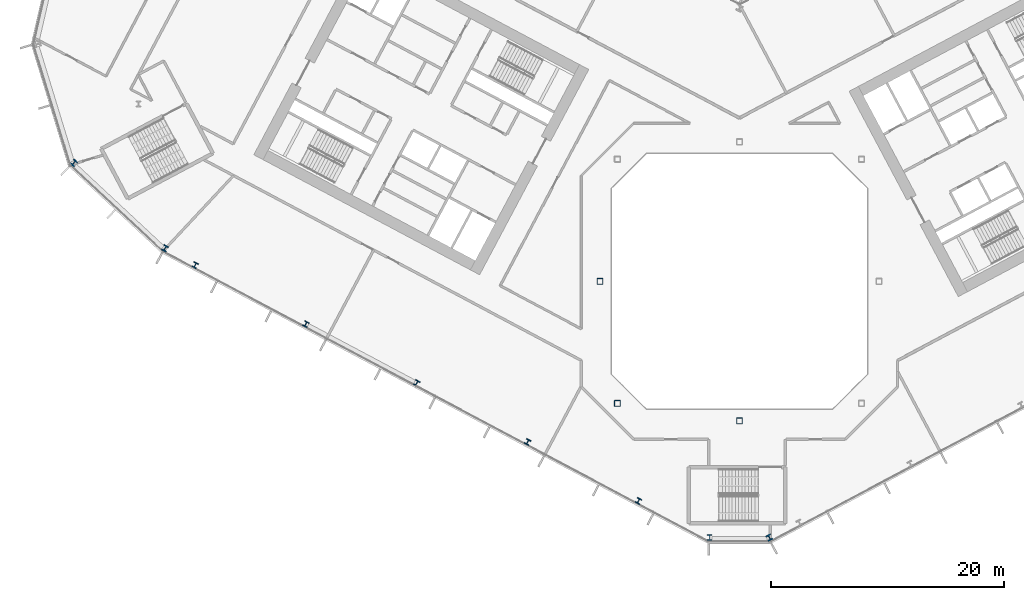
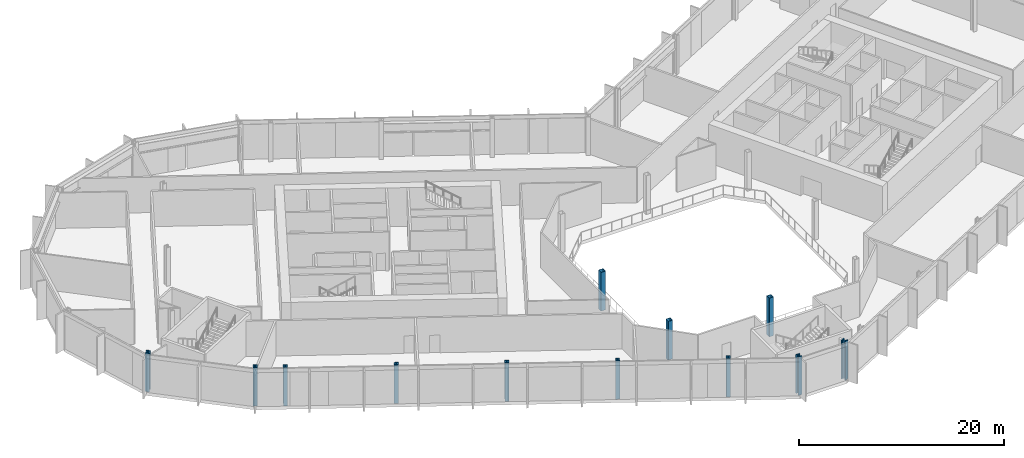
# One storey, part 1 of 32: 12 columns.
"""IFC4 building model written with IfcOpenShell, lengths in metres."""

from ifc_helpers import new_model, si_unit, direction, frame, origin, origin_2d, place, context, subcontext, project, spatial, hollow_rectangle, i_section, extrude, material, material_profile, profile_set, type_object, element, save


model = new_model("IFC4")

# Units and contexts
model_context = context("Model", 3, precision=1e-05, world=origin(), true_north=direction((0.0, 1.0)))
body_context = subcontext(model_context, "Body", "Model", "MODEL_VIEW")
ifc_project = project(units=[si_unit("LENGTHUNIT", "METRE"), si_unit("AREAUNIT", "SQUARE_METRE"), si_unit("VOLUMEUNIT", "CUBIC_METRE"), si_unit("PLANEANGLEUNIT", "RADIAN"), si_unit("MASSUNIT", "GRAM", prefix="KILO")], contexts=[model_context])

# Site, building, storey
site_placement = place(None, origin())
site = spatial("IfcSite", under=ifc_project, at=site_placement, CompositionType="ELEMENT")
building_placement = place(site_placement, origin())
building = spatial("IfcBuilding", under=site, at=building_placement, Name="Cormorant Relay Tower", CompositionType="ELEMENT")
storey_placement = place(building_placement, frame((0.0, 0.0, 66.199951171875)))
storey = spatial("IfcBuildingStorey", under=building, at=storey_placement, Name="L12", CompositionType="ELEMENT", Elevation=66.199951171875)

# Columns
ifc_material_1 = material(Name="Steel ASTM A500 Grade C (Fy 345 MPa)", Category="steel")
ifc_material_profile_1 = material_profile(ifc_material_1, hollow_rectangle(XDim=0.508056640625, YDim=0.508056640625, WallThickness=0.020751953125, InnerFilletRadius=0.01025390625, OuterFilletRadius=0.031005859375, at=origin_2d()), Name="HSS508x508x21")
ifc_profile_set_1 = profile_set([ifc_material_profile_1], Name="Steel ASTM A500 Grade C (Fy 345 MPa)")
column_type_1 = type_object("IfcColumnType", Name="Column HSS508x508x21", PredefinedType="COLUMN", material=ifc_profile_set_1)
for number, where, z_axis, x_axis, name in (
    (1, (0.0, -12.0, 0.0), (0.0, 0.0, 1.0), (1.0, 0.0, 0.0), "Column L12-007"),
    (2, (-10.5, -10.5, 0.0), (0.0, 0.0, 1.0), (1.0, 0.0, 0.0), "Column L12-009"),
    (3, (-12.0, 0.0, 0.0), (0.0, 0.0, 1.0), (1.0, 0.0, 0.0), "Column L12-015"),
):
    element("IfcColumn", number, at=place(storey_placement, frame(where, z_axis=z_axis, x_axis=x_axis)), inside=storey, type_object=column_type_1, Name=name, PredefinedType="COLUMN", context=body_context, shape_type="SweptSolid", body=[
        extrude(hollow_rectangle(XDim=0.508056640625, YDim=0.508056640625, WallThickness=0.020751953125, InnerFilletRadius=0.01025390625, OuterFilletRadius=0.031005859375, at=origin_2d()), origin(), (0.0, 0.0, 1.0), 4.60009765625),
    ])
ifc_material_2 = material(Name="Steel ASTM A992 (Fy 345 MPa)", Category="steel")
ifc_material_profile_2 = material_profile(ifc_material_2, i_section(OverallWidth=0.42431640625, OverallDepth=0.47509765625, WebThickness=0.0478515625, FlangeThickness=0.0771484375, FilletRadius=0.014892578125, at=origin_2d()), Name="W360x634")
ifc_profile_set_2 = profile_set([ifc_material_profile_2], Name="Steel ASTM A992 (Fy 345 MPa)")
column_type_2 = type_object("IfcColumnType", Name="Column W360x634", PredefinedType="COLUMN", material=ifc_profile_set_2)
for number, where, z_axis, x_axis, name in (
    (4, (-8.68701171875, -18.89306640625, 0.0), (0.0, 0.0, 1.0), (0.882947592859, -0.469471562786, 0.0), "Column L12-004"),
    (5, (-18.222900390625, -13.822998046875, 0.0), (0.0, 0.0, 1.0), (0.882947592859, -0.469471562786, 0.0), "Column L12-006"),
    (6, (-27.758056640625, -8.7529296875, 0.0), (0.0, 0.0, 1.0), (0.882947592859, -0.469471562786, 0.0), "Column L12-011"),
    (7, (-37.2939453125, -3.681884765625, 0.0), (0.0, 0.0, 1.0), (0.882947592859, -0.469471562786, 0.0), "Column L12-013"),
    (8, (-46.830078125, 1.387939453125, 0.0), (0.0, 0.0, 1.0), (0.882947592859, -0.469471562786, 0.0), "Column L12-017"),
):
    element("IfcColumn", number, at=place(storey_placement, frame(where, z_axis=z_axis, x_axis=x_axis)), inside=storey, type_object=column_type_2, Name=name, PredefinedType="COLUMN", context=body_context, shape_type="SweptSolid", body=[
        extrude(i_section(OverallWidth=0.42431640625, OverallDepth=0.47509765625, WebThickness=0.0478515625, FlangeThickness=0.0771484375, FilletRadius=0.014892578125, at=origin_2d()), origin(), (0.0, 0.0, 1.0), 4.60009765625),
    ])
ifc_material_3 = material(Name="Steel ASTM A992 (Fy 345 MPa)", Category="steel")
ifc_material_profile_3 = material_profile(ifc_material_3, i_section(OverallWidth=0.43701171875, OverallDepth=0.51318359375, WebThickness=0.060546875, FlangeThickness=0.096923828125, FilletRadius=0.015380859375, at=origin_2d()), Name="W360x818")
ifc_profile_set_3 = profile_set([ifc_material_profile_3], Name="Steel ASTM A992 (Fy 345 MPa)")
column_type_3 = type_object("IfcColumnType", Name="Column W360x818", PredefinedType="COLUMN", material=ifc_profile_set_3)
for number, where, z_axis, x_axis, name in (
    (9, (-2.56689453125, -22.0458984375, 0.0), (0.0, 0.0, 1.0), (1.0, 0.0, 0.0), "Column L12-001"),
    (10, (2.56689453125, -22.0458984375, 0.0), (0.0, 0.0, 1.0), (0.882947592859, 0.469471562786, 0.0), "Column L12-002"),
    (11, (-49.412109375, 2.8369140625, 0.0), (0.0, 0.0, 1.0), (0.882947592859, -0.469471562786, 0.0), "Column L12-018"),
    (12, (-57.2451171875, 10.18310546875, 0.0), (0.0, 0.0, 1.0), (0.731353701619, -0.681998360062, 0.0), "Column L12-021"),
):
    element("IfcColumn", number, at=place(storey_placement, frame(where, z_axis=z_axis, x_axis=x_axis)), inside=storey, type_object=column_type_3, Name=name, PredefinedType="COLUMN", context=body_context, shape_type="SweptSolid", body=[
        extrude(i_section(OverallWidth=0.43701171875, OverallDepth=0.51318359375, WebThickness=0.060546875, FlangeThickness=0.096923828125, FilletRadius=0.015380859375, at=origin_2d()), origin(), (0.0, 0.0, 1.0), 4.60009765625),
    ])

save(model, "model.ifc")
